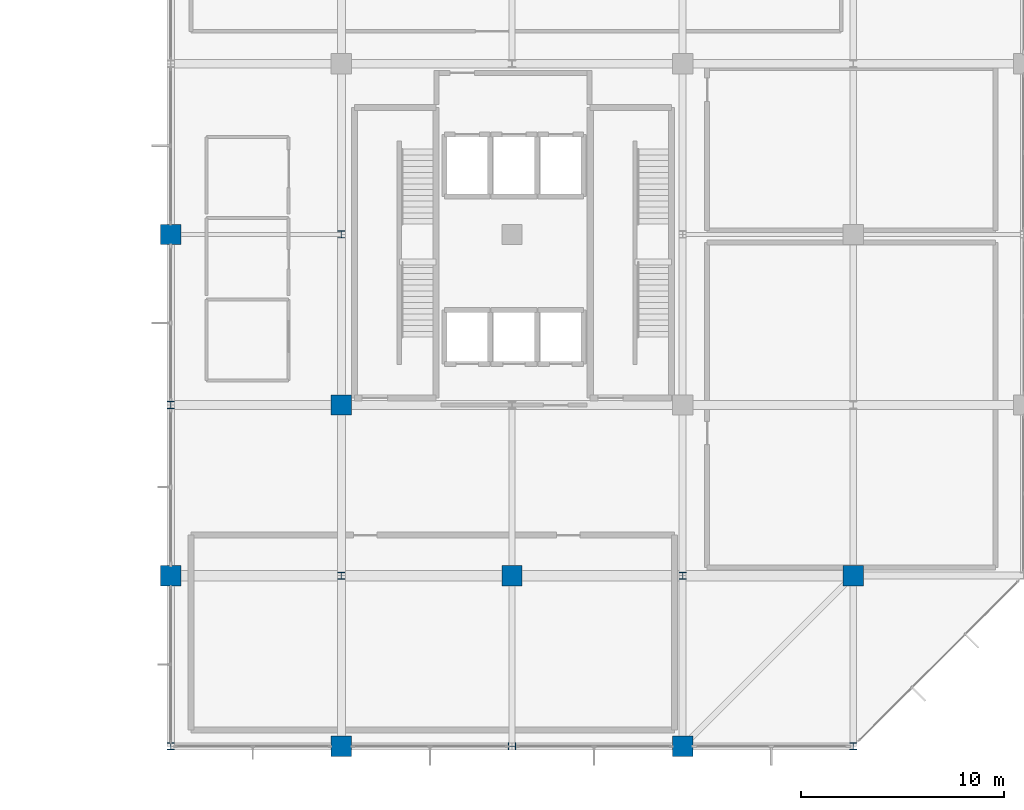
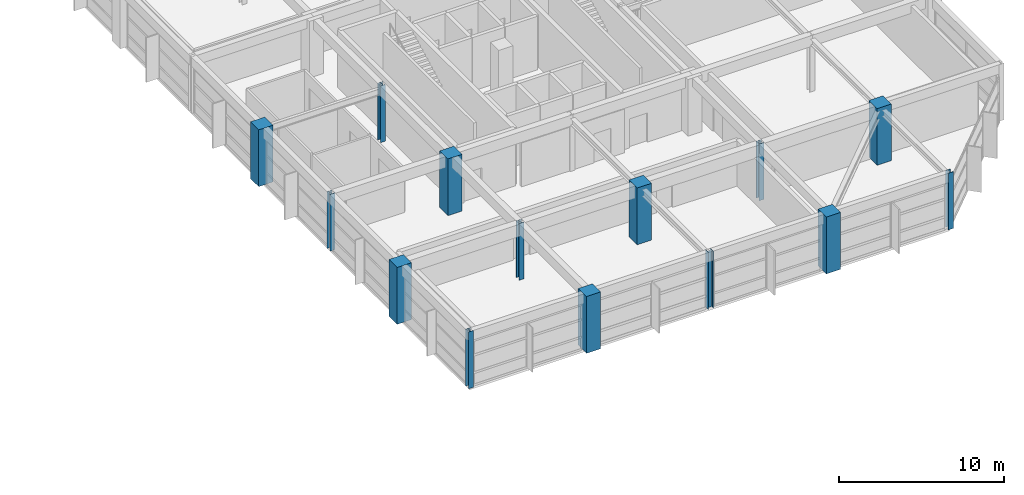
# One storey, part 2 of 32: 14 columns.
"""IFC4 building model written with IfcOpenShell, lengths in metres."""

from ifc_helpers import new_model, si_unit, direction, frame, origin, origin_2d, place, context, subcontext, project, spatial, rectangle, i_section, extrude, material, material_profile, profile_set, type_object, element, save


model = new_model("IFC4")

# Units and contexts
model_context = context("Model", 3, precision=1e-05, world=origin(), true_north=direction((0.0, 1.0)))
body_context = subcontext(model_context, "Body", "Model", "MODEL_VIEW")
ifc_project = project(units=[si_unit("LENGTHUNIT", "METRE"), si_unit("AREAUNIT", "SQUARE_METRE"), si_unit("VOLUMEUNIT", "CUBIC_METRE"), si_unit("PLANEANGLEUNIT", "RADIAN"), si_unit("MASSUNIT", "GRAM", prefix="KILO")], contexts=[model_context])

# Site, building, storey
site_placement = place(None, origin())
site = spatial("IfcSite", under=ifc_project, at=site_placement, CompositionType="ELEMENT")
building_placement = place(site_placement, origin())
building = spatial("IfcBuilding", under=site, at=building_placement, Name="Xuanlan Plaza Opera House", CompositionType="ELEMENT")
storey_placement = place(building_placement, frame((0.0, 0.0, 40.5)))
storey = spatial("IfcBuildingStorey", under=building, at=storey_placement, Name="L09", CompositionType="ELEMENT", Elevation=40.5)

# Columns
ifc_material_1 = material(Name="Concrete C50", Category="concrete")
ifc_material_profile_1 = material_profile(ifc_material_1, rectangle(XDim=1.0, YDim=1.0, at=origin_2d()), Name="RC-COL 1000x1000")
ifc_profile_set_1 = profile_set([ifc_material_profile_1], Name="Concrete C50")
column_type_1 = type_object("IfcColumnType", Name="STR-COL-C-04", PredefinedType="COLUMN", material=ifc_profile_set_1)
for number, where, z_axis, x_axis, name in (
    (1, (126.0, 42.0, 0.0), (0.0, 0.0, 1.0), (1.0, 0.0, 0.0), "Column L09 16-F"),
    (2, (126.0, 58.800048828125, 0.0), (0.0, 0.0, 1.0), (1.0, 0.0, 0.0), "Column L09 16-H"),
    (3, (134.39990234375, 33.60009765625, 0.0), (0.0, 0.0, 1.0), (1.0, 0.0, 0.0), "Column L09 17-E"),
    (4, (134.39990234375, 50.39990234375, 0.0), (0.0, 0.0, 1.0), (1.0, 0.0, 0.0), "Column L09 17-G"),
    (5, (142.800048828125, 42.0, 0.0), (0.0, 0.0, 1.0), (1.0, 0.0, 0.0), "Column L09 18-F"),
    (6, (151.199951171875, 33.60009765625, 0.0), (0.0, 0.0, 1.0), (1.0, 0.0, 0.0), "Column L09 19-E"),
    (7, (159.60009765625, 42.0, 0.0), (0.0, 0.0, 1.0), (1.0, 0.0, 0.0), "Column L09 20-F"),
):
    element("IfcColumn", number, at=place(storey_placement, frame(where, z_axis=z_axis, x_axis=x_axis)), inside=storey, type_object=column_type_1, Name=name, PredefinedType="COLUMN", context=body_context, shape_type="SweptSolid", body=[
        extrude(rectangle(XDim=1.0, YDim=1.0, at=origin_2d()), origin(), (0.0, 0.0, 1.0), 4.199951171875),
    ])
ifc_material_2 = material(Name="Steel Q355B", Category="steel")
ifc_material_profile_2 = material_profile(ifc_material_2, i_section(OverallWidth=0.35009765625, OverallDepth=0.35009765625, WebThickness=0.011962890625, FlangeThickness=0.01904296875, FilletRadius=0.02001953125, at=origin_2d()), Name="HW 350x350x12x19")
ifc_profile_set_2 = profile_set([ifc_material_profile_2], Name="Steel Q355B")
column_type_2 = type_object("IfcColumnType", Name="STR-COL-C-15", PredefinedType="COLUMN", material=ifc_profile_set_2)
for number, where, z_axis, x_axis, name in (
    (8, (126.0, 33.60009765625, 0.0), (0.0, 0.0, 1.0), (1.0, 0.0, 0.0), "Column L09 16-E"),
    (9, (126.0, 50.39990234375, 0.0), (0.0, 0.0, 1.0), (1.0, 0.0, 0.0), "Column L09 16-G"),
    (10, (134.39990234375, 42.0, 0.0), (0.0, 0.0, 1.0), (1.0, 0.0, 0.0), "Column L09 17-F"),
    (11, (134.39990234375, 58.800048828125, 0.0), (0.0, 0.0, 1.0), (1.0, 0.0, 0.0), "Column L09 17-H"),
    (12, (142.800048828125, 33.60009765625, 0.0), (0.0, 0.0, 1.0), (0.0, 1.0, 0.0), "Column L09 18-E"),
    (13, (151.199951171875, 42.0, 0.0), (0.0, 0.0, 1.0), (1.0, 0.0, 0.0), "Column L09 19-F"),
    (14, (159.60009765625, 33.60009765625, 0.0), (0.0, 0.0, 1.0), (1.0, 0.0, 0.0), "Column L09 20-E"),
):
    element("IfcColumn", number, at=place(storey_placement, frame(where, z_axis=z_axis, x_axis=x_axis)), inside=storey, type_object=column_type_2, Name=name, PredefinedType="COLUMN", context=body_context, shape_type="SweptSolid", body=[
        extrude(i_section(OverallWidth=0.35009765625, OverallDepth=0.35009765625, WebThickness=0.011962890625, FlangeThickness=0.01904296875, FilletRadius=0.02001953125, at=origin_2d()), origin(), (0.0, 0.0, 1.0), 4.199951171875),
    ])

save(model, "model.ifc")
